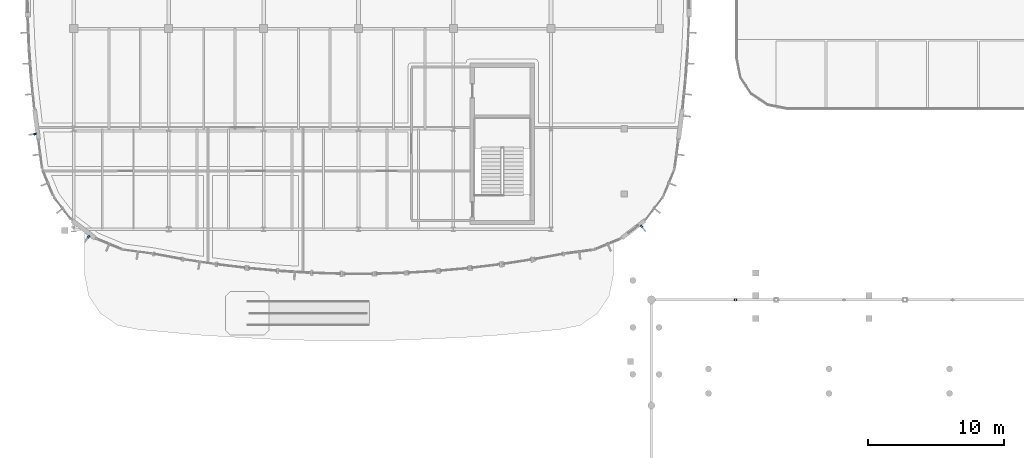
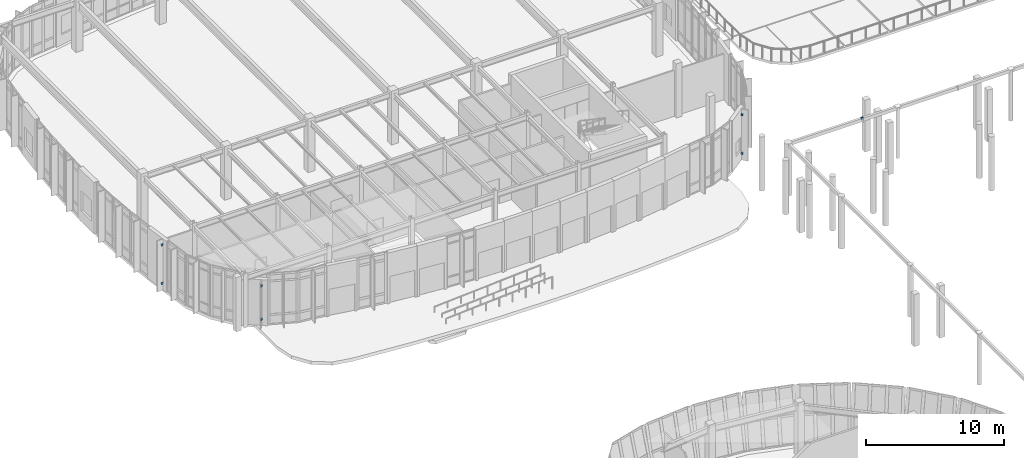
# One storey, part 99 of 120: 7 discrete accessories.
"""IFC4 building model written with IfcOpenShell, lengths in metres."""

from ifc_helpers import new_model, si_unit, direction, frame, origin, origin_2d, place, context, subcontext, project, spatial, rectangle, extrude, material, type_object, element, save


model = new_model("IFC4")

# Units and contexts
model_context = context("Model", 3, precision=1e-05, world=origin(), true_north=direction((0.0, 1.0)))
body_context = subcontext(model_context, "Body", "Model", "MODEL_VIEW")
ifc_project = project(units=[si_unit("LENGTHUNIT", "METRE"), si_unit("AREAUNIT", "SQUARE_METRE"), si_unit("VOLUMEUNIT", "CUBIC_METRE"), si_unit("PLANEANGLEUNIT", "RADIAN"), si_unit("MASSUNIT", "GRAM", prefix="KILO")], contexts=[model_context])

# Site, building, storey
site_placement = place(None, origin())
site = spatial("IfcSite", under=ifc_project, at=site_placement, CompositionType="ELEMENT")
building_placement = place(site_placement, origin())
building = spatial("IfcBuilding", under=site, at=building_placement, Name="Corveleigh Park Community Centre", CompositionType="ELEMENT")
storey_placement = place(building_placement, origin())
storey = spatial("IfcBuildingStorey", under=building, at=storey_placement, Name="L00", CompositionType="ELEMENT", Elevation=0.0)

# Discrete accessories
ifc_material = material(Name="Stainless steel 316 balustrade", Category="steel")
discrete_accessory_type = type_object("IfcDiscreteAccessoryType", Name="ACC-BRK-STL", PredefinedType="BRACKET", material=ifc_material)
for number, where, z_axis, x_axis, name in (
    (1, (53.073974609375, 78.216064453125, 0.5), (0.0, 0.0, 1.0), (0.608825655317, -0.793304053581, 0.0), "Fin fixing bracket lower"),
    (2, (53.073974609375, 78.216064453125, 3.927001953125), (0.0, 0.0, 1.0), (0.608825655317, -0.793304053581, 0.0), "Fin fixing bracket upper"),
    (3, (8.35205078125, 85.027099609375, 0.5), (0.0, 0.0, 1.0), (-0.991508592502, -0.13004118961, 0.0), "Fin fixing bracket lower"),
    (4, (8.35205078125, 85.027099609375, 3.912109375), (0.0, 0.0, 1.0), (-0.991508592502, -0.13004118961, 0.0), "Fin fixing bracket upper"),
    (5, (12.2958984375, 77.458984375, 0.5), (0.0, 0.0, 1.0), (-0.608825655317, -0.793304053581, 0.0), "Fin fixing bracket lower"),
    (6, (12.2958984375, 77.458984375, 3.455078125), (0.0, 0.0, 1.0), (-0.608825655317, -0.793304053581, 0.0), "Fin fixing bracket upper"),
    (7, (60.0, 72.800048828125, 4.449951171875), (0.0, 0.0, 1.0), (1.0, 0.0, 0.0), "Canopy louvre bracket 1"),
):
    element("IfcDiscreteAccessory", number, at=place(storey_placement, frame(where, z_axis=z_axis, x_axis=x_axis)), inside=storey, type_object=discrete_accessory_type, Name=name, PredefinedType="BRACKET", context=body_context, shape_type="SweptSolid", body=[
        extrude(rectangle(XDim=0.179931640625, YDim=0.139892578125, at=origin_2d()), origin(), (0.0, 0.0, 1.0), 0.169921875),
    ])

save(model, "model.ifc")
